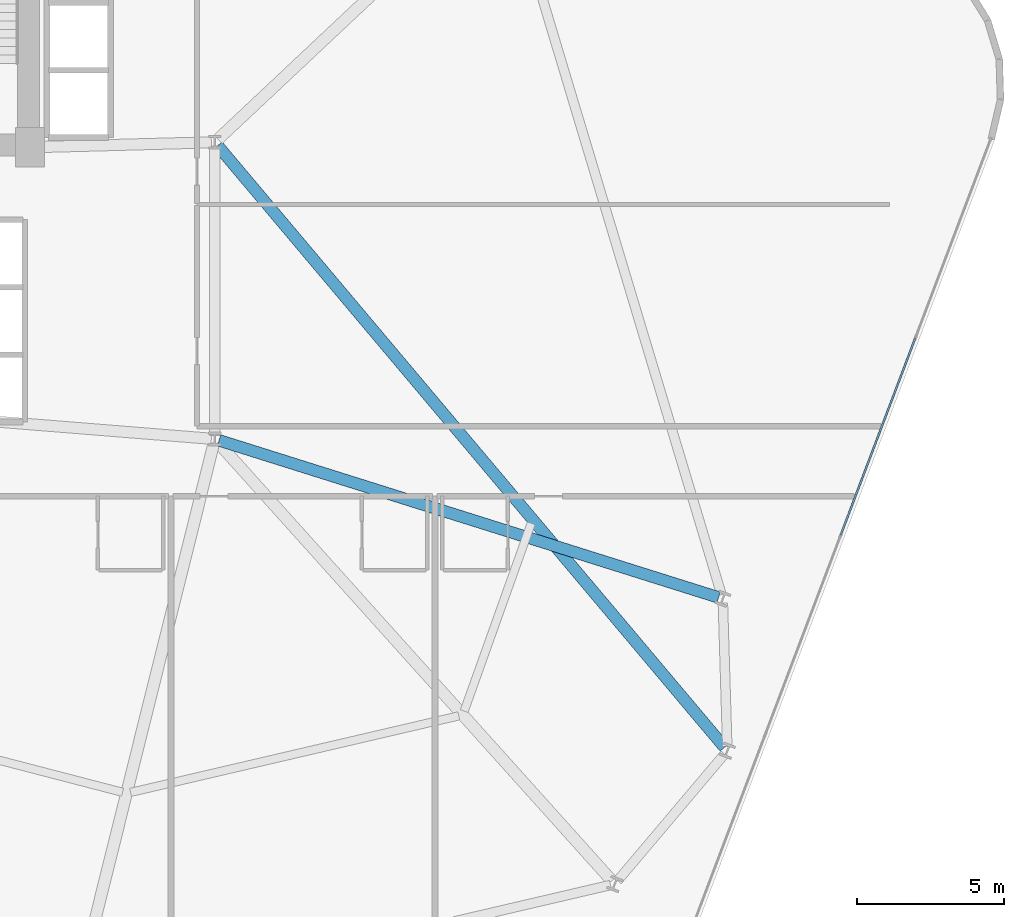
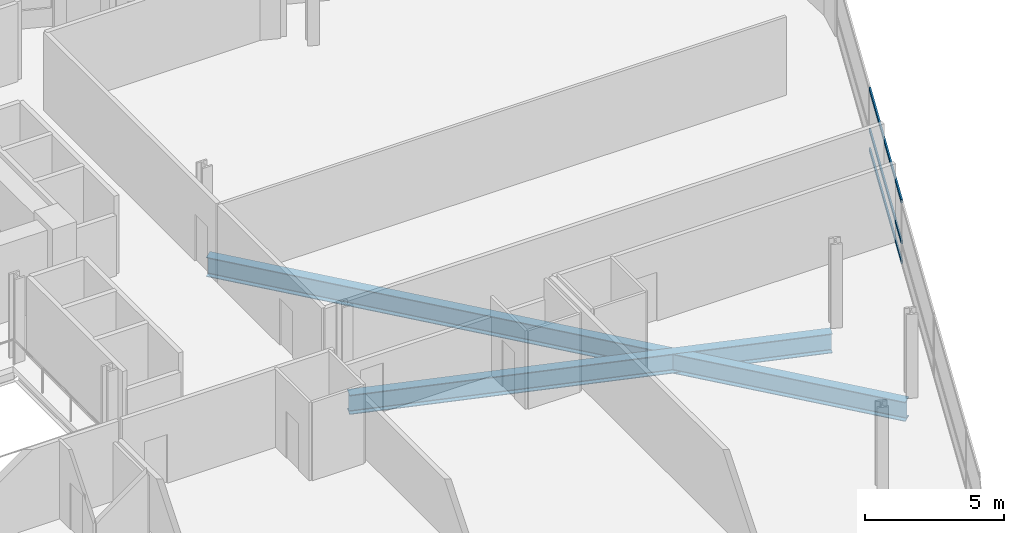
# One storey, part 13 of 25: 3 members, 2 beams, 1 element without a shape of its own.
"""IFC4 building model written with IfcOpenShell, lengths in metres."""

from ifc_helpers import new_model, si_unit, direction, frame, origin, origin_2d, place, context, subcontext, project, spatial, hollow_rectangle, i_section, extrude, material, layer, layer_set, material_profile, profile_set, type_object, element, aggregate, save


model = new_model("IFC4")

# Units and contexts
model_context = context("Model", 3, precision=1e-05, world=origin(), true_north=direction((0.0, 1.0)))
body_context = subcontext(model_context, "Body", "Model", "MODEL_VIEW")
ifc_project = project(units=[si_unit("LENGTHUNIT", "METRE"), si_unit("AREAUNIT", "SQUARE_METRE"), si_unit("VOLUMEUNIT", "CUBIC_METRE"), si_unit("PLANEANGLEUNIT", "RADIAN"), si_unit("MASSUNIT", "GRAM", prefix="KILO")], contexts=[model_context])

# Site, building, storey
site_placement = place(None, origin())
site = spatial("IfcSite", under=ifc_project, at=site_placement, CompositionType="ELEMENT")
building_placement = place(site_placement, origin())
building = spatial("IfcBuilding", under=site, at=building_placement, Name="Varnelok Gate Tower", CompositionType="ELEMENT")
storey_placement = place(building_placement, frame((0.0, 0.0, 76.199951171875)))
storey = spatial("IfcBuildingStorey", under=building, at=storey_placement, Name="L18", CompositionType="ELEMENT", Elevation=76.199951171875)

# Beams
ifc_material_1 = material(Name="Structural Steel ASTM A992 Grade 50", Category="steel")
ifc_material_profile_1 = material_profile(ifc_material_1, i_section(OverallWidth=0.39892578125, OverallDepth=0.85498046875, WebThickness=0.018310546875, FlangeThickness=0.029296875, FilletRadius=0.02392578125, at=origin_2d()), Name="W33X201")
ifc_profile_set_1 = profile_set([ifc_material_profile_1], Name="Structural Steel ASTM A992 Grade 50")
beam_type = type_object("IfcBeamType", Name="BM-PRI-W33X201", PredefinedType="BEAM", material=ifc_profile_set_1)
beam_1_placement = place(storey_placement, frame((54.0966796875, 28.805419921875, -0.677490234375), z_axis=(0.644241110533, -0.764822457502, 0.0), x_axis=(0.764822457502, 0.644241110533, 0.0)))
element("IfcBeam", 1, at=beam_1_placement, inside=storey, type_object=beam_type, Name="L18 Radial Floor Girder 7", PredefinedType="BEAM", context=body_context, shape_type="SweptSolid", body=[
    extrude(i_section(OverallWidth=0.39892578125, OverallDepth=0.85498046875, WebThickness=0.018310546875, FlangeThickness=0.029296875, FilletRadius=0.02392578125, at=origin_2d()), origin(), (0.0, 0.0, 1.0), 26.8271484375),
])
beam_2_placement = place(storey_placement, frame((54.14306640625, 18.7548828125, -0.677490234375), z_axis=(0.953948561039, -0.299970236678, 0.0), x_axis=(0.299970236678, 0.953948561039, 0.0)))
element("IfcBeam", 2, at=beam_2_placement, inside=storey, type_object=beam_type, Name="L18 Radial Floor Girder 8", PredefinedType="BEAM", context=body_context, shape_type="SweptSolid", body=[
    extrude(i_section(OverallWidth=0.39892578125, OverallDepth=0.85498046875, WebThickness=0.018310546875, FlangeThickness=0.029296875, FilletRadius=0.02392578125, at=origin_2d()), origin(), (0.0, 0.0, 1.0), 17.85498046875),
])

# Curtain wall, members
ifc_material_2 = material(Name="Anodized Aluminum Alloy 6063-T6", Category="aluminium")
ifc_layer = layer(ifc_material_2, 0.179931640625)
ifc_layer_set = layer_set([ifc_layer], Name="Anodized Aluminum Alloy 6063-T6")
curtain_wall_type = type_object("IfcCurtainWallType", Name="CW3-HOTEL-VISION", PredefinedType="USERDEFINED", material=ifc_layer_set)
curtain_wall_placement = place(storey_placement, origin())
curtain_wall = element("IfcCurtainWall", 3, at=curtain_wall_placement, inside=storey, type_object=curtain_wall_type, Name="L18 East End Vision Curtain Wall", ObjectType="UNITISED CURTAIN WALL", PredefinedType="USERDEFINED")
ifc_material_profile_2 = material_profile(ifc_material_2, hollow_rectangle(XDim=0.06494140625, YDim=0.159912109375, WallThickness=0.00390625, at=origin_2d()), Name="ALU160X65X4")
ifc_profile_set_2 = profile_set([ifc_material_profile_2], Name="Anodized Aluminum Alloy 6063-T6")
member_type = type_object("IfcMemberType", Name="CW-TRAN-160", PredefinedType="USERDEFINED", material=ifc_profile_set_2)
member_1_placement = place(storey_placement, frame((77.8798828125, 22.233642578125, 0.032470703125), z_axis=(-0.354048963644, -0.935226887628, 0.0), x_axis=(0.935226887628, -0.354048963644, 0.0)))
member_1 = element("IfcMember", 4, at=member_1_placement, type_object=member_type, Name="CW3 transom 2.1", ObjectType="TRANSOM", PredefinedType="USERDEFINED", context=body_context, shape_type="SweptSolid", body=[
    extrude(hollow_rectangle(XDim=0.06494140625, YDim=0.159912109375, WallThickness=0.00390625, at=origin_2d()), origin(), (0.0, 0.0, 1.0), 7.175048828125),
])
member_2_placement = place(storey_placement, frame((77.8798828125, 22.233642578125, 0.900146484375), z_axis=(-0.354048963644, -0.935226887628, 0.0), x_axis=(0.935226887628, -0.354048963644, 0.0)))
member_2 = element("IfcMember", 5, at=member_2_placement, type_object=member_type, Name="CW3 transom 2.2", ObjectType="TRANSOM", PredefinedType="USERDEFINED", context=body_context, shape_type="SweptSolid", body=[
    extrude(hollow_rectangle(XDim=0.06494140625, YDim=0.159912109375, WallThickness=0.00390625, at=origin_2d()), origin(), (0.0, 0.0, 1.0), 7.175048828125),
])
member_3_placement = place(storey_placement, frame((77.8798828125, 22.233642578125, 2.697509765625), z_axis=(-0.354048963644, -0.935226887628, 0.0), x_axis=(0.935226887628, -0.354048963644, 0.0)))
member_3 = element("IfcMember", 6, at=member_3_placement, type_object=member_type, Name="CW3 transom 2.3", ObjectType="TRANSOM", PredefinedType="USERDEFINED", context=body_context, shape_type="SweptSolid", body=[
    extrude(hollow_rectangle(XDim=0.06494140625, YDim=0.159912109375, WallThickness=0.00390625, at=origin_2d()), origin(), (0.0, 0.0, 1.0), 7.175048828125),
])
aggregate(curtain_wall, [member_1, member_2, member_3])

save(model, "model.ifc")
